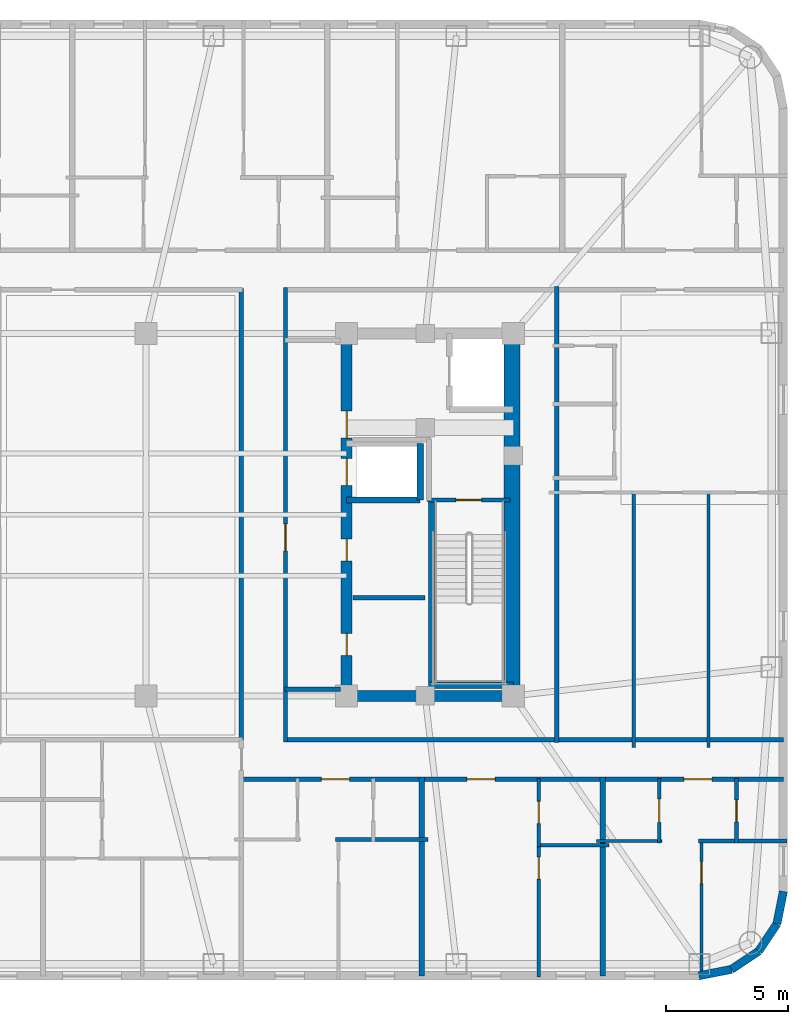
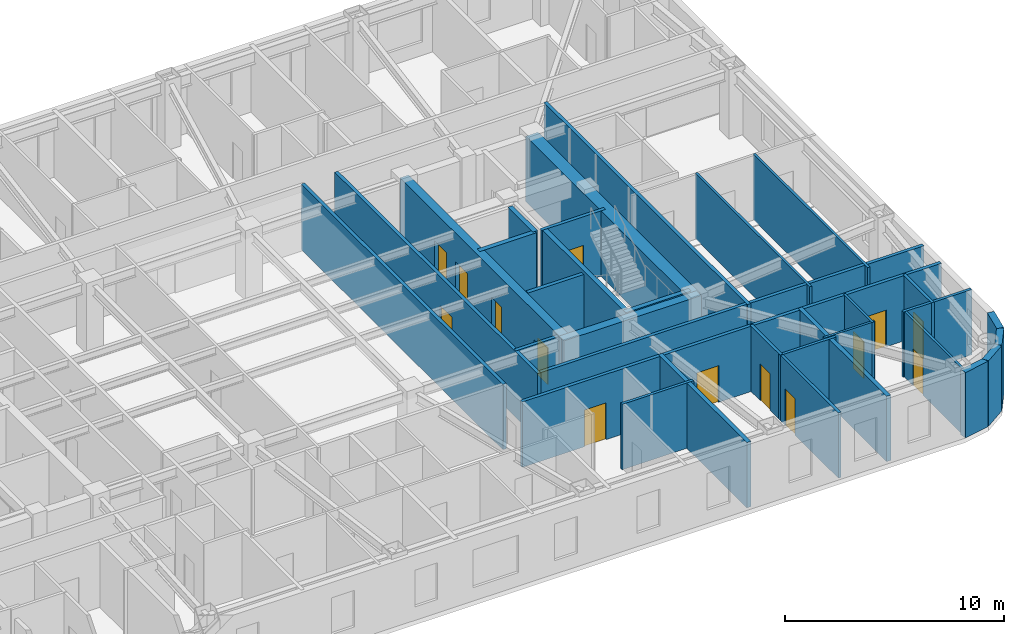
# One storey, part 6 of 11: 32 walls, 14 doors, 14 openings.
"""IFC4 building model written with IfcOpenShell, lengths in metres."""

from ifc_helpers import new_model, si_unit, direction, frame, frame_2d, origin, place, context, subcontext, project, spatial, rectangle, extrude, material, layer, layer_set, type_object, element, fill, save


model = new_model("IFC4")

# Units and contexts
model_context = context("Model", 3, precision=1e-05, world=origin(), true_north=direction((0.0, 1.0)))
body_context = subcontext(model_context, "Body", "Model", "MODEL_VIEW")
ifc_project = project(units=[si_unit("LENGTHUNIT", "METRE"), si_unit("AREAUNIT", "SQUARE_METRE"), si_unit("VOLUMEUNIT", "CUBIC_METRE"), si_unit("PLANEANGLEUNIT", "RADIAN"), si_unit("MASSUNIT", "GRAM", prefix="KILO")], contexts=[model_context])

# Site, building, storey
site_placement = place(None, origin())
site = spatial("IfcSite", under=ifc_project, at=site_placement, CompositionType="ELEMENT")
building_placement = place(site_placement, origin())
building = spatial("IfcBuilding", under=site, at=building_placement, Name="Voryun Gate Residences", CompositionType="ELEMENT")
storey_placement = place(building_placement, frame((0.0, 0.0, 219.699951171875)))
storey = spatial("IfcBuildingStorey", under=building, at=storey_placement, Name="L54", CompositionType="ELEMENT", Elevation=219.699951171875)

# Wall
ifc_material_1 = material(Name="Concrete C50/60", Category="concrete")
ifc_layer_1 = layer(ifc_material_1, 0.449951171875, Name="CW_CORE_450")
ifc_layer_set_1 = layer_set([ifc_layer_1], Name="Concrete C50/60")
wall_type_1 = type_object("IfcWallType", Name="CW_CORE_450", PredefinedType="SHEAR", material=ifc_layer_set_1)
wall_1_placement = place(storey_placement, frame((12.175048828125, -7.39990234375, 0.0), z_axis=(0.0, 0.0, 1.0), x_axis=(1.0, 0.0, 0.0)))
element("IfcWall", 1, at=wall_1_placement, inside=storey, type_object=wall_type_1, Name="L54 Core shear wall CW-L54-ES", PredefinedType="SHEAR", context=body_context, shape_type="SweptSolid", body=[
    extrude(rectangle(XDim=7.25, YDim=0.449951171875, at=frame_2d((3.625, 0.0))), origin(), (0.0, 0.0, 1.0), 3.650146484375),
])

# Wall, openings, doors
wall_2_placement = place(storey_placement, frame((12.39990234375, -7.39990234375, 0.0), z_axis=(0.0, 0.0, 1.0), x_axis=(0.0, 1.0, 0.0)))
wall_2 = element("IfcWall", 2, at=wall_2_placement, inside=storey, type_object=wall_type_1, Name="L54 Core shear wall CW-L54-EW", PredefinedType="SHEAR", context=body_context, shape_type="SweptSolid", body=[
    extrude(rectangle(XDim=14.7998046875, YDim=0.449951171875, at=frame_2d((7.39990234375, 0.0))), origin(), (0.0, 0.0, 1.0), 3.650146484375),
])
opening_1_placement = place(wall_2_placement, frame((8.60009765625, 0.0, 0.0)))
opening_1 = element("IfcOpeningElement", 3, at=opening_1_placement, cuts=wall_2, Name="Opening LD2", PredefinedType="OPENING", context=body_context, shape_type="SweptSolid", body=[
    extrude(rectangle(XDim=1.10009765625, YDim=2.050048828125, at=frame_2d((0.550048828125, 1.02490234375))), frame((0.0, 0.235107421875, 0.0), z_axis=(0.0, -1.0, 0.0), x_axis=(1.0, 0.0, 0.0)), (0.0, 0.0, 1.0), 0.469970703125),
])
opening_2_placement = place(wall_2_placement, frame((10.530029296875, 0.0, 0.0)))
opening_2 = element("IfcOpeningElement", 4, at=opening_2_placement, cuts=wall_2, Name="Opening D-FD60-2", PredefinedType="OPENING", context=body_context, shape_type="SweptSolid", body=[
    extrude(rectangle(XDim=1.10009765625, YDim=2.050048828125, at=frame_2d((0.550048828125, 1.02490234375))), frame((0.0, 0.235107421875, 0.0), z_axis=(0.0, -1.0, 0.0), x_axis=(1.0, 0.0, 0.0)), (0.0, 0.0, 1.0), 0.469970703125),
])
opening_3_placement = place(wall_2_placement, frame((1.64990234375, 0.0, 0.0)))
opening_3 = element("IfcOpeningElement", 5, at=opening_3_placement, cuts=wall_2, Name="Opening D-FD60-4", PredefinedType="OPENING", context=body_context, shape_type="SweptSolid", body=[
    extrude(rectangle(XDim=0.89990234375, YDim=2.050048828125, at=frame_2d((0.449951171875, 1.02490234375))), frame((0.0, 0.235107421875, 0.0), z_axis=(0.0, -1.0, 0.0), x_axis=(1.0, 0.0, 0.0)), (0.0, 0.0, 1.0), 0.469970703125),
])
opening_4_placement = place(wall_2_placement, frame((5.5, 0.0, 0.0)))
opening_4 = element("IfcOpeningElement", 6, at=opening_4_placement, cuts=wall_2, Name="Opening D-FD60-4", PredefinedType="OPENING", context=body_context, shape_type="SweptSolid", body=[
    extrude(rectangle(XDim=0.89990234375, YDim=2.050048828125, at=frame_2d((0.449951171875, 1.02490234375))), frame((0.0, 0.235107421875, 0.0), z_axis=(0.0, -1.0, 0.0), x_axis=(1.0, 0.0, 0.0)), (0.0, 0.0, 1.0), 0.469970703125),
])
ifc_material_2 = material(Name="Painted steel fire door", Category="steel")
door_type_1 = type_object("IfcDoorType", Name="DR_FD60_FFLOB_1100", OperationType="NOTDEFINED", PredefinedType="DOOR", material=ifc_material_2)
door_1_placement = place(opening_2_placement, origin())
door_1 = element("IfcDoor", 7, at=door_1_placement, inside=storey, type_object=door_type_1, Name="Door DR-L54-CLOB-E", OperationType="SINGLE_SWING_RIGHT", OverallHeight=2.050048828125, OverallWidth=1.10009765625, PredefinedType="DOOR", context=body_context, shape_type="SweptSolid", body=[
    extrude(rectangle(XDim=1.10009765625, YDim=2.050048828125, at=frame_2d((0.550048828125, 1.02490234375))), frame((0.0, 0.02490234375, 0.0), z_axis=(0.0, -1.0, 0.0), x_axis=(1.0, 0.0, 0.0)), (0.0, 0.0, 1.0), 0.050048828125),
])
fill(opening_2, door_1)
ifc_material_3 = material(Name="Painted steel fire door", Category="steel")
door_type_2 = type_object("IfcDoorType", Name="DR_FD60_RISER_900", OperationType="NOTDEFINED", PredefinedType="DOOR", material=ifc_material_3)
door_2_placement = place(opening_3_placement, origin())
door_2 = element("IfcDoor", 8, at=door_2_placement, inside=storey, type_object=door_type_2, Name="Door DR-L54-RECE-HIS", OperationType="SINGLE_SWING_RIGHT", OverallHeight=2.050048828125, OverallWidth=0.89990234375, PredefinedType="DOOR", context=body_context, shape_type="SweptSolid", body=[
    extrude(rectangle(XDim=0.89990234375, YDim=2.050048828125, at=frame_2d((0.449951171875, 1.02490234375))), frame((0.0, 0.02490234375, 0.0), z_axis=(0.0, -1.0, 0.0), x_axis=(1.0, 0.0, 0.0)), (0.0, 0.0, 1.0), 0.050048828125),
])
fill(opening_3, door_2)
door_3_placement = place(opening_4_placement, origin())
door_3 = element("IfcDoor", 9, at=door_3_placement, inside=storey, type_object=door_type_2, Name="Door DR-L54-RECE-HIN", OperationType="SINGLE_SWING_LEFT", OverallHeight=2.050048828125, OverallWidth=0.89990234375, PredefinedType="DOOR", context=body_context, shape_type="SweptSolid", body=[
    extrude(rectangle(XDim=0.89990234375, YDim=2.050048828125, at=frame_2d((0.449951171875, 1.02490234375))), frame((0.0, 0.02490234375, 0.0), z_axis=(0.0, -1.0, 0.0), x_axis=(1.0, 0.0, 0.0)), (0.0, 0.0, 1.0), 0.050048828125),
])
fill(opening_4, door_3)
ifc_material_4 = material(Name="Anodised aluminium", Category="aluminium")
door_type_3 = type_object("IfcDoorType", Name="DR_LD_PASS_1100", OperationType="NOTDEFINED", PredefinedType="DOOR", material=ifc_material_4)
door_4_placement = place(opening_1_placement, origin())
door_4 = element("IfcDoor", 10, at=door_4_placement, inside=storey, type_object=door_type_3, Name="Lift EL-P8 sliding landing door L54", OperationType="SLIDING_TO_LEFT", OverallHeight=2.050048828125, OverallWidth=1.10009765625, PredefinedType="DOOR", context=body_context, shape_type="SweptSolid", body=[
    extrude(rectangle(XDim=1.10009765625, YDim=2.050048828125, at=frame_2d((0.550048828125, 1.02490234375))), frame((0.0, 0.02490234375, 0.0), z_axis=(0.0, -1.0, 0.0), x_axis=(1.0, 0.0, 0.0)), (0.0, 0.0, 1.0), 0.050048828125),
])
fill(opening_1, door_4)

# Wall
ifc_material_5 = material(Name="Concrete C60/75", Category="concrete")
ifc_layer_2 = layer(ifc_material_5, 0.64990234375, Name="CW_CORE_650")
ifc_layer_set_2 = layer_set([ifc_layer_2], Name="Concrete C60/75")
wall_type_2 = type_object("IfcWallType", Name="CW_CORE_650", PredefinedType="SHEAR", material=ifc_layer_set_2)
wall_3_placement = place(storey_placement, frame((19.14501953125, -7.39990234375, 0.0), z_axis=(0.0, 0.0, 1.0), x_axis=(0.0, 1.0, 0.0)))
element("IfcWall", 11, at=wall_3_placement, inside=storey, type_object=wall_type_2, Name="L54 Core shear wall CW-L54-EE", PredefinedType="SHEAR", context=body_context, shape_type="SweptSolid", body=[
    extrude(rectangle(XDim=14.7998046875, YDim=0.64990234375, at=frame_2d((7.39990234375, 0.0))), origin(), (0.0, 0.0, 1.0), 3.650146484375),
])

# Wall, opening, door
ifc_material_6 = material(Name="Gypsum acoustic fireboard")
ifc_layer_3 = layer(ifc_material_6, 0.179931640625, Name="W_CORR_RATED_180")
ifc_layer_set_3 = layer_set([ifc_layer_3], Name="Gypsum acoustic fireboard")
wall_type_3 = type_object("IfcWallType", Name="W_CORR_RATED_180", PredefinedType="PARTITIONING", material=ifc_layer_set_3)
wall_4_placement = place(storey_placement, frame((15.699951171875, 0.60009765625, 0.0), z_axis=(0.0, 0.0, 1.0), x_axis=(1.0, 0.0, 0.0)))
wall_4 = element("IfcWall", 12, at=wall_4_placement, inside=storey, type_object=wall_type_3, Name="Partition wall WP-L54-STV-E", PredefinedType="PARTITIONING", context=body_context, shape_type="SweptSolid", body=[
    extrude(rectangle(XDim=3.360107421875, YDim=0.179931640625, at=frame_2d((1.68017578125, 0.0))), origin(), (0.0, 0.0, 1.0), 3.650146484375),
])
opening_5_placement = place(wall_4_placement, frame((1.155029296875, 0.0, 0.0)))
opening_5 = element("IfcOpeningElement", 13, at=opening_5_placement, cuts=wall_4, Name="Opening D-FD60-1", PredefinedType="OPENING", context=body_context, shape_type="SweptSolid", body=[
    extrude(rectangle(XDim=1.050048828125, YDim=2.050048828125, at=frame_2d((0.52490234375, 1.02490234375))), frame((0.0, 0.099853515625, 0.0), z_axis=(0.0, -1.0, 0.0), x_axis=(1.0, 0.0, 0.0)), (0.0, 0.0, 1.0), 0.199951171875),
])
ifc_material_7 = material(Name="Painted steel fire door", Category="steel")
door_type_4 = type_object("IfcDoorType", Name="DR_FD60_STAIR_1050", OperationType="NOTDEFINED", PredefinedType="DOOR", material=ifc_material_7)
door_5_placement = place(opening_5_placement, origin())
door_5 = element("IfcDoor", 14, at=door_5_placement, inside=storey, type_object=door_type_4, Name="Door DR-L54-ST-E", OperationType="SINGLE_SWING_RIGHT", OverallHeight=2.050048828125, OverallWidth=1.050048828125, PredefinedType="DOOR", context=body_context, shape_type="SweptSolid", body=[
    extrude(rectangle(XDim=1.050048828125, YDim=2.050048828125, at=frame_2d((0.52490234375, 1.02490234375))), frame((0.0, 0.02490234375, 0.0), z_axis=(0.0, -1.0, 0.0), x_axis=(1.0, 0.0, 0.0)), (0.0, 0.0, 1.0), 0.050048828125),
])
fill(opening_5, door_5)

# Wall
wall_5_placement = place(storey_placement, frame((9.8798828125, -7.1201171875, 0.0), z_axis=(0.0, 0.0, 1.0), x_axis=(1.0, 0.0, 0.0)))
element("IfcWall", 15, at=wall_5_placement, inside=storey, type_object=wall_type_3, Name="Partition wall WP-L54-PLBS-E", PredefinedType="PARTITIONING", context=body_context, shape_type="SweptSolid", body=[
    extrude(rectangle(XDim=2.27001953125, YDim=0.179931640625, at=frame_2d((1.135009765625, 0.0))), origin(), (0.0, 0.0, 1.0), 3.650146484375),
])

# Wall, opening, door
wall_6_placement = place(storey_placement, frame((9.89990234375, -9.280029296875, 0.0), z_axis=(0.0, 0.0, 1.0), x_axis=(0.0, 1.0, 0.0)))
wall_6 = element("IfcWall", 16, at=wall_6_placement, inside=storey, type_object=wall_type_3, Name="Partition wall WP-L54-PLBE-FULL", PredefinedType="PARTITIONING", context=body_context, shape_type="SweptSolid", body=[
    extrude(rectangle(XDim=18.56005859375, YDim=0.179931640625, at=frame_2d((9.280029296875, 0.0))), origin(), (0.0, 0.0, 1.0), 3.650146484375),
])
opening_6_placement = place(wall_6_placement, frame((7.802001953125, 0.0, 0.0)))
opening_6 = element("IfcOpeningElement", 17, at=opening_6_placement, cuts=wall_6, Name="Opening D-FD60-2", PredefinedType="OPENING", context=body_context, shape_type="SweptSolid", body=[
    extrude(rectangle(XDim=1.10009765625, YDim=2.050048828125, at=frame_2d((0.550048828125, 1.02490234375))), frame((0.0, 0.099853515625, 0.0), z_axis=(0.0, -1.0, 0.0), x_axis=(1.0, 0.0, 0.0)), (0.0, 0.0, 1.0), 0.199951171875),
])
door_6_placement = place(opening_6_placement, origin())
door_6 = element("IfcDoor", 18, at=door_6_placement, inside=storey, type_object=door_type_1, Name="Door DR-L54-PLBE-COR", OperationType="SINGLE_SWING_RIGHT", OverallHeight=2.050048828125, OverallWidth=1.10009765625, PredefinedType="DOOR", context=body_context, shape_type="SweptSolid", body=[
    extrude(rectangle(XDim=1.10009765625, YDim=2.050048828125, at=frame_2d((0.550048828125, 1.02490234375))), frame((0.0, 0.02490234375, 0.0), z_axis=(0.0, -1.0, 0.0), x_axis=(1.0, 0.0, 0.0)), (0.0, 0.0, 1.0), 0.050048828125),
])
fill(opening_6, door_6)

# Walls
wall_7_placement = place(storey_placement, frame((9.8798828125, -9.18994140625, 0.0), z_axis=(0.0, 0.0, 1.0), x_axis=(1.0, 0.0, 0.0)))
element("IfcWall", 19, at=wall_7_placement, inside=storey, type_object=wall_type_3, Name="Partition wall WP-L54-CWING-ES", PredefinedType="PARTITIONING", context=body_context, shape_type="SweptSolid", body=[
    extrude(rectangle(XDim=20.35009765625, YDim=0.179931640625, at=frame_2d((10.175048828125, 0.0))), origin(), (0.0, 0.0, 1.0), 3.650146484375),
])
wall_8_placement = place(storey_placement, frame((8.10009765625, -9.22998046875, 0.0), z_axis=(0.0, 0.0, 1.0), x_axis=(0.0, 1.0, 0.0)))
element("IfcWall", 20, at=wall_8_placement, inside=storey, type_object=wall_type_3, Name="Partition wall WP-L54-Z3E", PredefinedType="PARTITIONING", context=body_context, shape_type="SweptSolid", body=[
    extrude(rectangle(XDim=18.4599609375, YDim=0.179931640625, at=frame_2d((9.22998046875, 0.0))), origin(), (0.0, 0.0, 1.0), 3.650146484375),
])

# Wall, openings, doors
wall_9_placement = place(storey_placement, frame((8.080078125, -10.800048828125, 0.0), z_axis=(0.0, 0.0, 1.0), x_axis=(1.0, 0.0, 0.0)))
wall_9 = element("IfcWall", 21, at=wall_9_placement, inside=storey, type_object=wall_type_3, Name="Partition wall WP-L54-SCORR-E", PredefinedType="PARTITIONING", context=body_context, shape_type="SweptSolid", body=[
    extrude(rectangle(XDim=22.14990234375, YDim=0.179931640625, at=frame_2d((11.074951171875, 0.0))), origin(), (0.0, 0.0, 1.0), 3.650146484375),
])
opening_7_placement = place(wall_9_placement, frame((3.283447265625, 0.0, 0.0)))
opening_7 = element("IfcOpeningElement", 22, at=opening_7_placement, cuts=wall_9, Name="Opening D-UNIT-1", PredefinedType="OPENING", context=body_context, shape_type="SweptSolid", body=[
    extrude(rectangle(XDim=1.14990234375, YDim=2.050048828125, at=frame_2d((0.574951171875, 1.02490234375))), frame((0.0, 0.099853515625, 0.0), z_axis=(0.0, -1.0, 0.0), x_axis=(1.0, 0.0, 0.0)), (0.0, 0.0, 1.0), 0.199951171875),
])
opening_8_placement = place(wall_9_placement, frame((9.228515625, 0.0, 0.0)))
opening_8 = element("IfcOpeningElement", 23, at=opening_8_placement, cuts=wall_9, Name="Opening D-UNIT-1", PredefinedType="OPENING", context=body_context, shape_type="SweptSolid", body=[
    extrude(rectangle(XDim=1.14990234375, YDim=2.050048828125, at=frame_2d((0.574951171875, 1.02490234375))), frame((0.0, 0.099853515625, 0.0), z_axis=(0.0, -1.0, 0.0), x_axis=(1.0, 0.0, 0.0)), (0.0, 0.0, 1.0), 0.199951171875),
])
opening_9_placement = place(wall_9_placement, frame((18.084228515625, 0.0, 0.0)))
opening_9 = element("IfcOpeningElement", 24, at=opening_9_placement, cuts=wall_9, Name="Opening D-UNIT-1", PredefinedType="OPENING", context=body_context, shape_type="SweptSolid", body=[
    extrude(rectangle(XDim=1.14990234375, YDim=2.050048828125, at=frame_2d((0.574951171875, 1.02490234375))), frame((0.0, 0.099853515625, 0.0), z_axis=(0.0, -1.0, 0.0), x_axis=(1.0, 0.0, 0.0)), (0.0, 0.0, 1.0), 0.199951171875),
])
ifc_material_8 = material(Name="Armoured timber-clad fire door", Category="wood")
door_type_5 = type_object("IfcDoorType", Name="DR_UNIT_ENTRY_1150", OperationType="NOTDEFINED", PredefinedType="DOOR", material=ifc_material_8)
door_7_placement = place(opening_7_placement, origin())
door_7 = element("IfcDoor", 25, at=door_7_placement, inside=storey, type_object=door_type_5, Name="Door DR-L54-SENT-5", OperationType="SINGLE_SWING_RIGHT", OverallHeight=2.050048828125, OverallWidth=1.14990234375, PredefinedType="DOOR", context=body_context, shape_type="SweptSolid", body=[
    extrude(rectangle(XDim=1.14990234375, YDim=2.050048828125, at=frame_2d((0.574951171875, 1.02490234375))), frame((0.0, 0.02490234375, 0.0), z_axis=(0.0, -1.0, 0.0), x_axis=(1.0, 0.0, 0.0)), (0.0, 0.0, 1.0), 0.050048828125),
])
fill(opening_7, door_7)
door_8_placement = place(opening_8_placement, origin())
door_8 = element("IfcDoor", 26, at=door_8_placement, inside=storey, type_object=door_type_5, Name="Door DR-L54-SENT-6", OperationType="SINGLE_SWING_LEFT", OverallHeight=2.050048828125, OverallWidth=1.14990234375, PredefinedType="DOOR", context=body_context, shape_type="SweptSolid", body=[
    extrude(rectangle(XDim=1.14990234375, YDim=2.050048828125, at=frame_2d((0.574951171875, 1.02490234375))), frame((0.0, 0.02490234375, 0.0), z_axis=(0.0, -1.0, 0.0), x_axis=(1.0, 0.0, 0.0)), (0.0, 0.0, 1.0), 0.050048828125),
])
fill(opening_8, door_8)
door_9_placement = place(opening_9_placement, origin())
door_9 = element("IfcDoor", 27, at=door_9_placement, inside=storey, type_object=door_type_5, Name="Door DR-L54-SENT-7", OperationType="SINGLE_SWING_RIGHT", OverallHeight=2.050048828125, OverallWidth=1.14990234375, PredefinedType="DOOR", context=body_context, shape_type="SweptSolid", body=[
    extrude(rectangle(XDim=1.14990234375, YDim=2.050048828125, at=frame_2d((0.574951171875, 1.02490234375))), frame((0.0, 0.02490234375, 0.0), z_axis=(0.0, -1.0, 0.0), x_axis=(1.0, 0.0, 0.0)), (0.0, 0.0, 1.0), 0.050048828125),
])
fill(opening_9, door_9)

# Walls
wall_10_placement = place(storey_placement, frame((20.969970703125, -9.31005859375, 0.0), z_axis=(0.0, 0.0, 1.0), x_axis=(0.0, 1.0, 0.0)))
element("IfcWall", 28, at=wall_10_placement, inside=storey, type_object=wall_type_3, Name="Partition wall WP-L54-ECOR", PredefinedType="PARTITIONING", context=body_context, shape_type="SweptSolid", body=[
    extrude(rectangle(XDim=18.6201171875, YDim=0.179931640625, at=frame_2d((9.31005859375, 0.0))), origin(), (0.0, 0.0, 1.0), 3.650146484375),
])
ifc_material_9 = material(Name="Charcoal terracotta masonry", Category="masonry")
ifc_layer_4 = layer(ifc_material_9, 0.340087890625, Name="W_EXT_TERRACOTTA_340")
ifc_layer_set_4 = layer_set([ifc_layer_4], Name="Charcoal terracotta masonry")
wall_type_4 = type_object("IfcWallType", Name="W_EXT_TERRACOTTA_340", PredefinedType="ELEMENTEDWALL", material=ifc_layer_set_4)
wall_11_placement = place(storey_placement, frame((30.22998046875, -15.38330078125, 0.0), z_axis=(0.0, 0.0, 1.0), x_axis=(-0.195110379894, -0.98078129043, 0.0)))
element("IfcWall", 29, at=wall_11_placement, inside=storey, type_object=wall_type_4, Name="Exterior wall WEXT-L54-17", PredefinedType="ELEMENTEDWALL", context=body_context, shape_type="SweptSolid", body=[
    extrude(rectangle(XDim=1.35400390625, YDim=0.340087890625, at=frame_2d((0.677001953125, 0.0))), origin(), (0.0, 0.0, 1.0), 3.650146484375),
])
wall_12_placement = place(storey_placement, frame((29.9658203125, -16.711181640625, 0.0), z_axis=(0.0, 0.0, 1.0), x_axis=(-0.555584683399, -0.831459956686, 0.0)))
element("IfcWall", 30, at=wall_12_placement, inside=storey, type_object=wall_type_4, Name="Exterior wall WEXT-L54-18", PredefinedType="ELEMENTEDWALL", context=body_context, shape_type="SweptSolid", body=[
    extrude(rectangle(XDim=1.337158203125, YDim=0.340087890625, at=frame_2d((0.66845703125, 0.0))), origin(), (0.0, 0.0, 1.0), 3.650146484375),
])
wall_13_placement = place(storey_placement, frame((29.222900390625, -17.822998046875, 0.0), z_axis=(0.0, 0.0, 1.0), x_axis=(-0.831403586725, -0.555669034571, 0.0)))
element("IfcWall", 31, at=wall_13_placement, inside=storey, type_object=wall_type_4, Name="Exterior wall WEXT-L54-19", PredefinedType="ELEMENTEDWALL", context=body_context, shape_type="SweptSolid", body=[
    extrude(rectangle(XDim=1.3369140625, YDim=0.340087890625, at=frame_2d((0.66845703125, 0.0))), origin(), (0.0, 0.0, 1.0), 3.650146484375),
])
wall_14_placement = place(storey_placement, frame((28.111328125, -18.56591796875, 0.0), z_axis=(0.0, 0.0, 1.0), x_axis=(-0.980788153188, -0.195075878998, 0.0)))
element("IfcWall", 32, at=wall_14_placement, inside=storey, type_object=wall_type_4, Name="Exterior wall WEXT-L54-20", PredefinedType="ELEMENTEDWALL", context=body_context, shape_type="SweptSolid", body=[
    extrude(rectangle(XDim=1.354248046875, YDim=0.340087890625, at=frame_2d((0.67724609375, 0.0))), origin(), (0.0, 0.0, 1.0), 3.650146484375),
])
ifc_material_10 = material(Name="Concrete C40/50", Category="concrete")
ifc_layer_5 = layer(ifc_material_10, 0.199951171875, Name="W_FF_LOBBY_200")
ifc_layer_set_5 = layer_set([ifc_layer_5], Name="Concrete C40/50")
wall_type_5 = type_object("IfcWallType", Name="W_FF_LOBBY_200", PredefinedType="PARTITIONING", material=ifc_layer_set_5)
wall_15_placement = place(storey_placement, frame((12.659912109375, -3.389892578125, 0.0), z_axis=(0.0, 0.0, 1.0), x_axis=(1.0, 0.0, 0.0)))
element("IfcWall", 33, at=wall_15_placement, inside=storey, type_object=wall_type_5, Name="Partition wall WP-L54-RECEY-HI", PredefinedType="PARTITIONING", context=body_context, shape_type="SweptSolid", body=[
    extrude(rectangle(XDim=2.940185546875, YDim=0.199951171875, at=frame_2d((1.47021484375, 0.0))), origin(), (0.0, 0.0, 1.0), 3.650146484375),
])
ifc_material_11 = material(Name="Concrete C40/50", Category="concrete")
ifc_layer_6 = layer(ifc_material_11, 0.219970703125, Name="W_PARTY_ACOUSTIC_220")
ifc_layer_set_6 = layer_set([ifc_layer_6], Name="Concrete C40/50")
wall_type_6 = type_object("IfcWallType", Name="W_PARTY_ACOUSTIC_220", PredefinedType="PARTITIONING", material=ifc_layer_set_6)
for number, where, z_axis, x_axis, name in (
    (34, (15.466064453125, -18.830078125, 0.0), (0.0, 0.0, 1.0), (0.0, 1.0, 0.0), "Partition wall WP-L54-SPTY-5"),
    (35, (22.85107421875, -18.830078125, 0.0), (0.0, 0.0, 1.0), (0.0, 1.0, 0.0), "Partition wall WP-L54-SPTY-6"),
):
    element("IfcWall", number, at=place(storey_placement, frame(where, z_axis=z_axis, x_axis=x_axis)), inside=storey, type_object=wall_type_6, Name=name, PredefinedType="PARTITIONING", context=body_context, shape_type="SweptSolid", body=[
        extrude(rectangle(XDim=8.110107421875, YDim=0.219970703125, at=frame_2d((4.05517578125, 0.0))), origin(), (0.0, 0.0, 1.0), 3.650146484375),
    ])
ifc_material_12 = material(Name="Concrete C50/60", Category="concrete")
ifc_layer_7 = layer(ifc_material_12, 0.25, Name="W_SHAFT_RC250")
ifc_layer_set_7 = layer_set([ifc_layer_7], Name="Concrete C50/60")
wall_type_7 = type_object("IfcWallType", Name="W_SHAFT_RC250", PredefinedType="SOLIDWALL", material=ifc_layer_set_7)
wall_16_placement = place(storey_placement, frame((15.860107421875, -7.0849609375, 0.0), z_axis=(0.0, 0.0, 1.0), x_axis=(0.0, 1.0, 0.0)))
element("IfcWall", 36, at=wall_16_placement, inside=storey, type_object=wall_type_7, Name="L54 Stair shaft structural wall E-STL", PredefinedType="SOLIDWALL", context=body_context, shape_type="SweptSolid", body=[
    extrude(rectangle(XDim=7.68505859375, YDim=0.25, at=frame_2d((3.842529296875, 0.0))), origin(), (0.0, 0.0, 1.0), 3.650146484375),
])
wall_17_placement = place(storey_placement, frame((15.739990234375, -6.965087890625, 0.0), z_axis=(0.0, 0.0, 1.0), x_axis=(1.0, 0.0, 0.0)))
element("IfcWall", 37, at=wall_17_placement, inside=storey, type_object=wall_type_7, Name="L54 Stair shaft structural wall E-STS", PredefinedType="SOLIDWALL", context=body_context, shape_type="SweptSolid", body=[
    extrude(rectangle(XDim=3.4599609375, YDim=0.25, at=frame_2d((1.72998046875, 0.0))), origin(), (0.0, 0.0, 1.0), 3.650146484375),
])
wall_18_placement = place(storey_placement, frame((12.39990234375, 0.60009765625, 0.0), z_axis=(0.0, 0.0, 1.0), x_axis=(1.0, 0.0, 0.0)))
element("IfcWall", 38, at=wall_18_placement, inside=storey, type_object=wall_type_7, Name="Lift shaft wall WSH-L54-EL-P8-S", PredefinedType="SOLIDWALL", context=body_context, shape_type="SweptSolid", body=[
    extrude(rectangle(XDim=3.0, YDim=0.25, at=frame_2d((1.5, 0.0))), origin(), (0.0, 0.0, 1.0), 3.650146484375),
])
wall_19_placement = place(storey_placement, frame((15.39990234375, 0.60009765625, 0.0), z_axis=(0.0, 0.0, 1.0), x_axis=(0.0, 1.0, 0.0)))
element("IfcWall", 39, at=wall_19_placement, inside=storey, type_object=wall_type_7, Name="Lift shaft wall WSH-L54-EL-P8-E", PredefinedType="SOLIDWALL", context=body_context, shape_type="SweptSolid", body=[
    extrude(rectangle(XDim=2.2998046875, YDim=0.25, at=frame_2d((1.14990234375, 0.0))), origin(), (0.0, 0.0, 1.0), 3.650146484375),
])

# Wall, opening, door
ifc_material_13 = material(Name="Gypsum acoustic partition")
ifc_layer_8 = layer(ifc_material_13, 0.125, Name="W_UNIT_PART_125")
ifc_layer_set_8 = layer_set([ifc_layer_8], Name="Gypsum acoustic partition")
wall_type_8 = type_object("IfcWallType", Name="W_UNIT_PART_125", PredefinedType="PARTITIONING", material=ifc_layer_set_8)
wall_20_placement = place(storey_placement, frame((26.886962890625, -18.96240234375, 0.0), z_axis=(0.0, 0.0, 1.0), x_axis=(0.0, 1.0, 0.0)))
wall_20 = element("IfcWall", 40, at=wall_20_placement, inside=storey, type_object=wall_type_8, Name="Partition wall WP-L54-S7-OVR", PredefinedType="PARTITIONING", context=body_context, shape_type="SweptSolid", body=[
    extrude(rectangle(XDim=5.71728515625, YDim=0.125, at=frame_2d((2.858642578125, 0.0))), origin(), (0.0, 0.0, 1.0), 3.650146484375),
])
opening_10_placement = place(wall_20_placement, frame((3.89501953125, 0.0, 0.0)))
opening_10 = element("IfcOpeningElement", 41, at=opening_10_placement, cuts=wall_20, Name="Opening D-INT-2", PredefinedType="OPENING", context=body_context, shape_type="SweptSolid", body=[
    extrude(rectangle(XDim=0.89990234375, YDim=2.050048828125, at=frame_2d((0.449951171875, 1.02490234375))), frame((0.0, 0.072509765625, 0.0), z_axis=(0.0, -1.0, 0.0), x_axis=(1.0, 0.0, 0.0)), (0.0, 0.0, 1.0), 0.14501953125),
])
ifc_material_14 = material(Name="Architectural oak veneer")
door_type_6 = type_object("IfcDoorType", Name="DR_INT_BATH_900", OperationType="NOTDEFINED", PredefinedType="DOOR", material=ifc_material_14)
door_10_placement = place(opening_10_placement, origin())
door_10 = element("IfcDoor", 42, at=door_10_placement, inside=storey, type_object=door_type_6, Name="Door DR-L54-S7-DMB", OperationType="SINGLE_SWING_RIGHT", OverallHeight=2.050048828125, OverallWidth=0.89990234375, PredefinedType="DOOR", context=body_context, shape_type="SweptSolid", body=[
    extrude(rectangle(XDim=0.89990234375, YDim=2.050048828125, at=frame_2d((0.449951171875, 1.02490234375))), frame((0.0, 0.02490234375, 0.0), z_axis=(0.0, -1.0, 0.0), x_axis=(1.0, 0.0, 0.0)), (0.0, 0.0, 1.0), 0.050048828125),
])
fill(opening_10, door_10)

wall_21_placement = place(storey_placement, frame((25.160888671875, -13.405029296875, 0.0), z_axis=(0.0, 0.0, 1.0), x_axis=(0.0, 1.0, 0.0)))
wall_21 = element("IfcWall", 43, at=wall_21_placement, inside=storey, type_object=wall_type_8, Name="Partition wall WP-L54-S7-IVK", PredefinedType="PARTITIONING", context=body_context, shape_type="SweptSolid", body=[
    extrude(rectangle(XDim=2.625, YDim=0.125, at=frame_2d((1.3125, 0.0))), origin(), (0.0, 0.0, 1.0), 3.650146484375),
])
opening_11_placement = place(wall_21_placement, frame((0.83740234375, 0.0, 0.0)))
opening_11 = element("IfcOpeningElement", 44, at=opening_11_placement, cuts=wall_21, Name="Opening D-INT-1", PredefinedType="OPENING", context=body_context, shape_type="SweptSolid", body=[
    extrude(rectangle(XDim=0.949951171875, YDim=2.050048828125, at=frame_2d((0.47509765625, 1.02490234375))), frame((0.0, 0.072509765625, 0.0), z_axis=(0.0, -1.0, 0.0), x_axis=(1.0, 0.0, 0.0)), (0.0, 0.0, 1.0), 0.14501953125),
])
ifc_material_15 = material(Name="Architectural oak veneer")
door_type_7 = type_object("IfcDoorType", Name="DR_INT_ROOM_950", OperationType="NOTDEFINED", PredefinedType="DOOR", material=ifc_material_15)
door_11_placement = place(opening_11_placement, origin())
door_11 = element("IfcDoor", 45, at=door_11_placement, inside=storey, type_object=door_type_7, Name="Door DR-L54-S7-DK", OperationType="SINGLE_SWING_LEFT", OverallHeight=2.050048828125, OverallWidth=0.949951171875, PredefinedType="DOOR", context=body_context, shape_type="SweptSolid", body=[
    extrude(rectangle(XDim=0.949951171875, YDim=2.050048828125, at=frame_2d((0.47509765625, 1.02490234375))), frame((0.0, 0.02490234375, 0.0), z_axis=(0.0, -1.0, 0.0), x_axis=(1.0, 0.0, 0.0)), (0.0, 0.0, 1.0), 0.050048828125),
])
fill(opening_11, door_11)

# Walls
wall_22_placement = place(storey_placement, frame((22.591064453125, -13.324951171875, 0.0), z_axis=(0.0, 0.0, 1.0), x_axis=(1.0, 0.0, 0.0)))
element("IfcWall", 46, at=wall_22_placement, inside=storey, type_object=wall_type_8, Name="Partition wall WP-L54-S7-HZK", PredefinedType="PARTITIONING", context=body_context, shape_type="SweptSolid", body=[
    extrude(rectangle(XDim=2.68994140625, YDim=0.125, at=frame_2d((1.344970703125, 0.0))), origin(), (0.0, 0.0, 1.0), 3.650146484375),
])
for number, where, z_axis, x_axis, name in (
    (47, (27.178955078125, -9.510009765625, 0.0), (0.0, 0.0, 1.0), (0.0, 1.0, 0.0), "Partition wall WP-L54-E1-VMB2"),
    (48, (24.12109375, -9.510009765625, 0.0), (0.0, 0.0, 1.0), (0.0, 1.0, 0.0), "Partition wall WP-L54-E1-VMB"),
):
    element("IfcWall", number, at=place(storey_placement, frame(where, z_axis=z_axis, x_axis=x_axis)), inside=storey, type_object=wall_type_8, Name=name, PredefinedType="PARTITIONING", context=body_context, shape_type="SweptSolid", body=[
        extrude(rectangle(XDim=10.47998046875, YDim=0.125, at=frame_2d((5.239990234375, 0.0))), origin(), (0.0, 0.0, 1.0), 3.650146484375),
    ])
ifc_material_16 = material(Name="Gypsum moisture-resistant partition")
ifc_layer_9 = layer(ifc_material_16, 0.14990234375, Name="W_WET_PLUMB_150")
ifc_layer_set_9 = layer_set([ifc_layer_9], Name="Gypsum moisture-resistant partition")
wall_type_9 = type_object("IfcWallType", Name="W_WET_PLUMB_150", PredefinedType="PLUMBINGWALL", material=ifc_layer_set_9)
wall_23_placement = place(storey_placement, frame((11.93603515625, -13.264892578125, 0.0), z_axis=(0.0, 0.0, 1.0), x_axis=(1.0, 0.0, 0.0)))
element("IfcWall", 49, at=wall_23_placement, inside=storey, type_object=wall_type_9, Name="Partition wall WP-L54-S5-HZB", PredefinedType="PLUMBINGWALL", context=body_context, shape_type="SweptSolid", body=[
    extrude(rectangle(XDim=3.7900390625, YDim=0.14990234375, at=frame_2d((1.89501953125, 0.0))), origin(), (0.0, 0.0, 1.0), 3.650146484375),
])
wall_24_placement = place(storey_placement, frame((20.160888671875, -13.5, 0.0), z_axis=(0.0, 0.0, 1.0), x_axis=(1.0, 0.0, 0.0)))
element("IfcWall", 50, at=wall_24_placement, inside=storey, type_object=wall_type_9, Name="Partition wall WP-L54-S6-SKB", PredefinedType="PLUMBINGWALL", context=body_context, shape_type="SweptSolid", body=[
    extrude(rectangle(XDim=2.9501953125, YDim=0.14990234375, at=frame_2d((1.47509765625, 0.0))), origin(), (0.0, 0.0, 1.0), 3.650146484375),
])

# Wall, opening, door
wall_25_placement = place(storey_placement, frame((20.240966796875, -18.876708984375, 0.0), z_axis=(0.0, 0.0, 1.0), x_axis=(0.0, 1.0, 0.0)))
wall_25 = element("IfcWall", 51, at=wall_25_placement, inside=storey, type_object=wall_type_9, Name="Partition wall WP-L54-S6-SVT1", PredefinedType="PLUMBINGWALL", context=body_context, shape_type="SweptSolid", body=[
    extrude(rectangle(XDim=5.416748046875, YDim=0.14990234375, at=frame_2d((2.70849609375, 0.0))), origin(), (0.0, 0.0, 1.0), 3.650146484375),
])
opening_12_placement = place(wall_25_placement, frame((3.99169921875, 0.0, 0.0)))
opening_12 = element("IfcOpeningElement", 52, at=opening_12_placement, cuts=wall_25, Name="Opening D-INT-2", PredefinedType="OPENING", context=body_context, shape_type="SweptSolid", body=[
    extrude(rectangle(XDim=0.89990234375, YDim=2.050048828125, at=frame_2d((0.449951171875, 1.02490234375))), frame((0.0, 0.0849609375, 0.0), z_axis=(0.0, -1.0, 0.0), x_axis=(1.0, 0.0, 0.0)), (0.0, 0.0, 1.0), 0.169921875),
])
door_12_placement = place(opening_12_placement, origin())
door_12 = element("IfcDoor", 53, at=door_12_placement, inside=storey, type_object=door_type_6, Name="Door DR-L54-S6-DK", OperationType="SINGLE_SWING_LEFT", OverallHeight=2.050048828125, OverallWidth=0.89990234375, PredefinedType="DOOR", context=body_context, shape_type="SweptSolid", body=[
    extrude(rectangle(XDim=0.89990234375, YDim=2.050048828125, at=frame_2d((0.449951171875, 1.02490234375))), frame((0.0, 0.02490234375, 0.0), z_axis=(0.0, -1.0, 0.0), x_axis=(1.0, 0.0, 0.0)), (0.0, 0.0, 1.0), 0.050048828125),
])
fill(opening_12, door_12)

wall_26_placement = place(storey_placement, frame((20.240966796875, -13.5400390625, 0.0), z_axis=(0.0, 0.0, 1.0), x_axis=(0.0, 1.0, 0.0)))
wall_26 = element("IfcWall", 54, at=wall_26_placement, inside=storey, type_object=wall_type_9, Name="Partition wall WP-L54-S6-SVT2", PredefinedType="PLUMBINGWALL", context=body_context, shape_type="SweptSolid", body=[
    extrude(rectangle(XDim=2.760009765625, YDim=0.14990234375, at=frame_2d((1.3798828125, 0.0))), origin(), (0.0, 0.0, 1.0), 3.650146484375),
])
opening_13_placement = place(wall_26_placement, frame((0.929931640625, 0.0, 0.0)))
opening_13 = element("IfcOpeningElement", 55, at=opening_13_placement, cuts=wall_26, Name="Opening D-INT-2", PredefinedType="OPENING", context=body_context, shape_type="SweptSolid", body=[
    extrude(rectangle(XDim=0.89990234375, YDim=2.050048828125, at=frame_2d((0.449951171875, 1.02490234375))), frame((0.0, 0.0849609375, 0.0), z_axis=(0.0, -1.0, 0.0), x_axis=(1.0, 0.0, 0.0)), (0.0, 0.0, 1.0), 0.169921875),
])
door_13_placement = place(opening_13_placement, origin())
door_13 = element("IfcDoor", 56, at=door_13_placement, inside=storey, type_object=door_type_6, Name="Door DR-L54-S6-DB", OperationType="SINGLE_SWING_RIGHT", OverallHeight=2.050048828125, OverallWidth=0.89990234375, PredefinedType="DOOR", context=body_context, shape_type="SweptSolid", body=[
    extrude(rectangle(XDim=0.89990234375, YDim=2.050048828125, at=frame_2d((0.449951171875, 1.02490234375))), frame((0.0, 0.02490234375, 0.0), z_axis=(0.0, -1.0, 0.0), x_axis=(1.0, 0.0, 0.0)), (0.0, 0.0, 1.0), 0.050048828125),
])
fill(opening_13, door_13)

# Wall
wall_27_placement = place(storey_placement, frame((26.76708984375, -13.324951171875, 0.0), z_axis=(0.0, 0.0, 1.0), x_axis=(1.0, 0.0, 0.0)))
element("IfcWall", 57, at=wall_27_placement, inside=storey, type_object=wall_type_9, Name="Partition wall WP-L54-S7-HZB", PredefinedType="PLUMBINGWALL", context=body_context, shape_type="SweptSolid", body=[
    extrude(rectangle(XDim=3.61279296875, YDim=0.14990234375, at=frame_2d((1.806396484375, 0.0))), origin(), (0.0, 0.0, 1.0), 3.650146484375),
])

# Wall, opening, door
wall_28_placement = place(storey_placement, frame((28.31689453125, -13.405029296875, 0.0), z_axis=(0.0, 0.0, 1.0), x_axis=(0.0, 1.0, 0.0)))
wall_28 = element("IfcWall", 58, at=wall_28_placement, inside=storey, type_object=wall_type_9, Name="Partition wall WP-L54-S7-IVB", PredefinedType="PLUMBINGWALL", context=body_context, shape_type="SweptSolid", body=[
    extrude(rectangle(XDim=2.625, YDim=0.14990234375, at=frame_2d((1.3125, 0.0))), origin(), (0.0, 0.0, 1.0), 3.650146484375),
])
opening_14_placement = place(wall_28_placement, frame((0.862548828125, 0.0, 0.0)))
opening_14 = element("IfcOpeningElement", 59, at=opening_14_placement, cuts=wall_28, Name="Opening D-INT-2", PredefinedType="OPENING", context=body_context, shape_type="SweptSolid", body=[
    extrude(rectangle(XDim=0.89990234375, YDim=2.050048828125, at=frame_2d((0.449951171875, 1.02490234375))), frame((0.0, 0.0849609375, 0.0), z_axis=(0.0, -1.0, 0.0), x_axis=(1.0, 0.0, 0.0)), (0.0, 0.0, 1.0), 0.169921875),
])
door_14_placement = place(opening_14_placement, origin())
door_14 = element("IfcDoor", 60, at=door_14_placement, inside=storey, type_object=door_type_6, Name="Door DR-L54-S7-DB", OperationType="SINGLE_SWING_RIGHT", OverallHeight=2.050048828125, OverallWidth=0.89990234375, PredefinedType="DOOR", context=body_context, shape_type="SweptSolid", body=[
    extrude(rectangle(XDim=0.89990234375, YDim=2.050048828125, at=frame_2d((0.449951171875, 1.02490234375))), frame((0.0, 0.02490234375, 0.0), z_axis=(0.0, -1.0, 0.0), x_axis=(1.0, 0.0, 0.0)), (0.0, 0.0, 1.0), 0.050048828125),
])
fill(opening_14, door_14)

save(model, "model.ifc")
